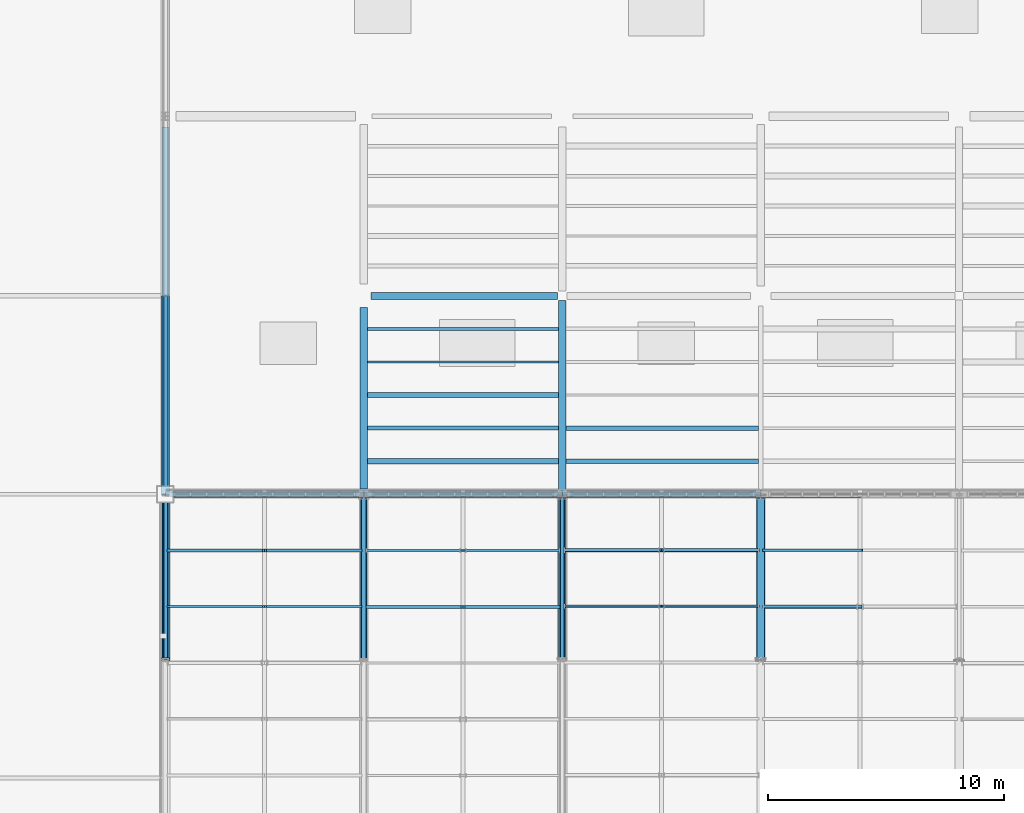
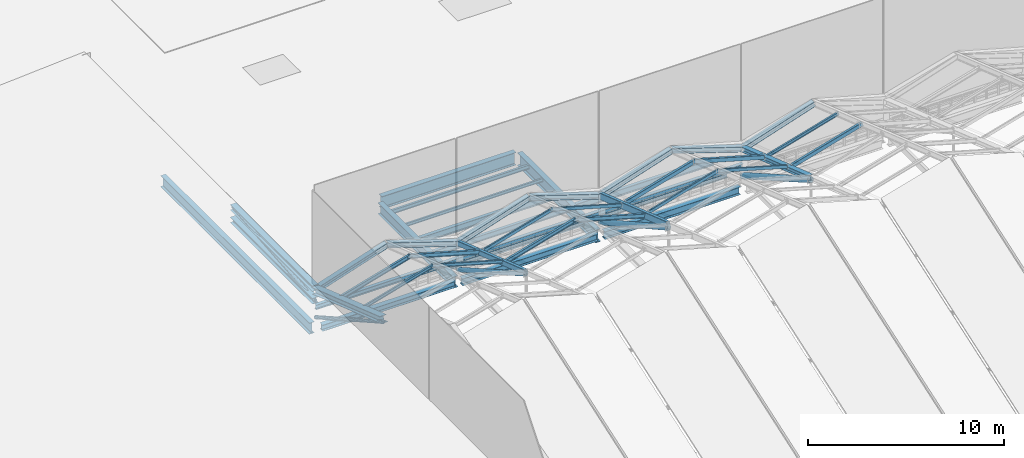
# One storey, part 20 of 77: 32 members, 17 beams.
"""IFC4 building model written with IfcOpenShell, lengths in metres."""

from ifc_helpers import new_model, si_unit, direction, frame, origin, origin_2d, place, context, subcontext, project, spatial, hollow_rectangle, hollow_circle, i_section, extrude, material, material_profile, profile_set, type_object, element, save


model = new_model("IFC4")

# Units and contexts
model_context = context("Model", 3, precision=1e-05, world=origin(), true_north=direction((0.0, 1.0)))
body_context = subcontext(model_context, "Body", "Model", "MODEL_VIEW")
ifc_project = project(units=[si_unit("LENGTHUNIT", "METRE"), si_unit("AREAUNIT", "SQUARE_METRE"), si_unit("VOLUMEUNIT", "CUBIC_METRE"), si_unit("PLANEANGLEUNIT", "RADIAN"), si_unit("MASSUNIT", "GRAM", prefix="KILO")], contexts=[model_context])

# Site, building, storey
site_placement = place(None, origin())
site = spatial("IfcSite", under=ifc_project, at=site_placement, CompositionType="ELEMENT")
building_placement = place(site_placement, origin())
building = spatial("IfcBuilding", under=site, at=building_placement, Name="Larkvane Passage Sports Hall", CompositionType="ELEMENT")
storey_placement = place(building_placement, frame((0.0, 0.0, 22.199951171875)))
storey = spatial("IfcBuildingStorey", under=building, at=storey_placement, Name="RF", CompositionType="ELEMENT", Elevation=22.199951171875)

# Beams
ifc_material_1 = material(Name="Steel S355JR", Category="steel")
ifc_material_profile_1 = material_profile(ifc_material_1, i_section(OverallWidth=0.199951171875, OverallDepth=0.2939453125, WebThickness=0.008056640625, FlangeThickness=0.011962890625, FilletRadius=0.012939453125, at=origin_2d()), Name="H-294x200x8x12")
ifc_profile_set_1 = profile_set([ifc_material_profile_1], Name="Steel S355JR")
beam_type_1 = type_object("IfcBeamType", Name="BM-STL-H294", PredefinedType="BEAM", material=ifc_profile_set_1)
beam_1_placement = place(storey_placement, frame((34.800048828125, 75.60009765625, 0.81298828125), z_axis=(1.0, 0.0, 0.0), x_axis=(0.0, 1.0, 0.0)))
element("IfcBeam", 1, at=beam_1_placement, inside=storey, type_object=beam_type_1, Name="Arena roof north clerestory lintel beam 1", PredefinedType="BEAM", context=body_context, shape_type="SweptSolid", body=[
    extrude(i_section(OverallWidth=0.199951171875, OverallDepth=0.2939453125, WebThickness=0.008056640625, FlangeThickness=0.011962890625, FilletRadius=0.012939453125, at=origin_2d()), origin(), (0.0, 0.0, 1.0), 8.39990234375),
])
beam_2_placement = place(storey_placement, frame((43.199951171875, 75.60009765625, 0.81298828125), z_axis=(1.0, 0.0, 0.0), x_axis=(0.0, 1.0, 0.0)))
element("IfcBeam", 2, at=beam_2_placement, inside=storey, type_object=beam_type_1, Name="Arena roof north clerestory lintel beam 2", PredefinedType="BEAM", context=body_context, shape_type="SweptSolid", body=[
    extrude(i_section(OverallWidth=0.199951171875, OverallDepth=0.2939453125, WebThickness=0.008056640625, FlangeThickness=0.011962890625, FilletRadius=0.012939453125, at=origin_2d()), origin(), (0.0, 0.0, 1.0), 8.400146484375),
])
beam_3_placement = place(storey_placement, frame((51.60009765625, 75.60009765625, 0.81298828125), z_axis=(1.0, 0.0, 0.0), x_axis=(0.0, 1.0, 0.0)))
element("IfcBeam", 3, at=beam_3_placement, inside=storey, type_object=beam_type_1, Name="Arena roof north clerestory lintel beam 3", PredefinedType="BEAM", context=body_context, shape_type="SweptSolid", body=[
    extrude(i_section(OverallWidth=0.199951171875, OverallDepth=0.2939453125, WebThickness=0.008056640625, FlangeThickness=0.011962890625, FilletRadius=0.012939453125, at=origin_2d()), origin(), (0.0, 0.0, 1.0), 8.39990234375),
])
ifc_material_profile_2 = material_profile(ifc_material_1, i_section(OverallWidth=0.300048828125, OverallDepth=0.389892578125, WebThickness=0.010009765625, FlangeThickness=0.01611328125, FilletRadius=0.01806640625, at=origin_2d()), Name="H-390x300x10x16")
ifc_profile_set_2 = profile_set([ifc_material_profile_2], Name="Steel S355JR")
beam_type_2 = type_object("IfcBeamType", Name="BM-STL-H390", PredefinedType="BEAM", material=ifc_profile_set_2)
beam_4_placement = place(storey_placement, frame((35.14990234375, 75.60009765625, -0.574951171875), z_axis=(1.0, 0.0, 0.0), x_axis=(0.0, 1.0, 0.0)))
element("IfcBeam", 4, at=beam_4_placement, inside=storey, type_object=beam_type_2, Name="Girder BM5-X-RF-J-1146", PredefinedType="BEAM", context=body_context, shape_type="SweptSolid", body=[
    extrude(i_section(OverallWidth=0.300048828125, OverallDepth=0.389892578125, WebThickness=0.010009765625, FlangeThickness=0.01611328125, FilletRadius=0.01806640625, at=origin_2d()), origin(), (0.0, 0.0, 1.0), 7.8466796875),
])
ifc_material_profile_3 = material_profile(ifc_material_1, i_section(OverallWidth=0.300048828125, OverallDepth=0.43994140625, WebThickness=0.010986328125, FlangeThickness=0.01806640625, FilletRadius=0.01806640625, at=origin_2d()), Name="H-440x300x11x18")
ifc_profile_set_3 = profile_set([ifc_material_profile_3], Name="Steel S355JR")
beam_type_3 = type_object("IfcBeamType", Name="BM-STL-H440", PredefinedType="BEAM", material=ifc_profile_set_3)
beam_5_placement = place(storey_placement, frame((43.403564453125, 75.60009765625, -0.599853515625), z_axis=(1.0, 0.0, 0.0), x_axis=(0.0, 1.0, 0.0)))
element("IfcBeam", 5, at=beam_5_placement, inside=storey, type_object=beam_type_3, Name="Girder BM5-X-RF-J-1147", PredefinedType="BEAM", context=body_context, shape_type="SweptSolid", body=[
    extrude(i_section(OverallWidth=0.300048828125, OverallDepth=0.43994140625, WebThickness=0.010986328125, FlangeThickness=0.01806640625, FilletRadius=0.01806640625, at=origin_2d()), origin(), (0.0, 0.0, 1.0), 7.993896484375),
])
ifc_material_profile_4 = material_profile(ifc_material_1, i_section(OverallWidth=0.300048828125, OverallDepth=0.488037109375, WebThickness=0.010986328125, FlangeThickness=0.01806640625, FilletRadius=0.02197265625, at=origin_2d()), Name="H-488x300x11x18")
ifc_profile_set_4 = profile_set([ifc_material_profile_4], Name="Steel S355JR")
beam_type_4 = type_object("IfcBeamType", Name="BM-STL-H488", PredefinedType="BEAM", material=ifc_profile_set_4)
beam_6_placement = place(storey_placement, frame((51.802490234375, 75.60009765625, -0.6240234375), z_axis=(1.0, 0.0, 0.0), x_axis=(0.0, 1.0, 0.0)))
element("IfcBeam", 6, at=beam_6_placement, inside=storey, type_object=beam_type_4, Name="Girder BM5-X-RF-J-1148", PredefinedType="BEAM", context=body_context, shape_type="SweptSolid", body=[
    extrude(i_section(OverallWidth=0.300048828125, OverallDepth=0.488037109375, WebThickness=0.010986328125, FlangeThickness=0.01806640625, FilletRadius=0.02197265625, at=origin_2d()), origin(), (0.0, 0.0, 1.0), 7.99755859375),
])
ifc_material_2 = material(Name="Steel S460N", Category="steel")
ifc_material_profile_5 = material_profile(ifc_material_2, i_section(OverallWidth=0.300048828125, OverallDepth=0.69189453125, WebThickness=0.012939453125, FlangeThickness=0.02001953125, FilletRadius=0.02197265625, at=origin_2d()), Name="H-692x300x13x20")
ifc_profile_set_5 = profile_set([ifc_material_profile_5], Name="Steel S460N")
beam_type_5 = type_object("IfcBeamType", Name="BM-STL-H692", PredefinedType="BEAM", material=ifc_profile_set_5)
beam_7_placement = place(storey_placement, frame((43.199951171875, 75.81396484375, -0.725830078125), z_axis=(0.0, 1.0, 0.0), x_axis=(-1.0, 0.0, 0.0)))
element("IfcBeam", 7, at=beam_7_placement, inside=storey, type_object=beam_type_5, Name="Girder BM5-Y-RF-7-1165", PredefinedType="BEAM", context=body_context, shape_type="SweptSolid", body=[
    extrude(i_section(OverallWidth=0.300048828125, OverallDepth=0.69189453125, WebThickness=0.012939453125, FlangeThickness=0.02001953125, FilletRadius=0.02197265625, at=origin_2d()), origin(), (0.0, 0.0, 1.0), 7.68603515625),
])
ifc_material_profile_6 = material_profile(ifc_material_2, i_section(OverallWidth=0.300048828125, OverallDepth=0.699951171875, WebThickness=0.012939453125, FlangeThickness=0.02392578125, FilletRadius=0.02197265625, at=origin_2d()), Name="H-700x300x13x24")
ifc_profile_set_6 = profile_set([ifc_material_profile_6], Name="Steel S460N")
beam_type_6 = type_object("IfcBeamType", Name="BM-STL-H700", PredefinedType="BEAM", material=ifc_profile_set_6)
beam_8_placement = place(storey_placement, frame((34.800048828125, 75.949951171875, -0.72998046875), z_axis=(0.0, 1.0, 0.0), x_axis=(-1.0, 0.0, 0.0)))
element("IfcBeam", 8, at=beam_8_placement, inside=storey, type_object=beam_type_6, Name="Girder BM5-Y-RF-6-1163", PredefinedType="BEAM", context=body_context, shape_type="SweptSolid", body=[
    extrude(i_section(OverallWidth=0.300048828125, OverallDepth=0.699951171875, WebThickness=0.012939453125, FlangeThickness=0.02392578125, FilletRadius=0.02197265625, at=origin_2d()), origin(), (0.0, 0.0, 1.0), 15.199951171875),
])
ifc_material_profile_7 = material_profile(ifc_material_2, i_section(OverallWidth=0.300048828125, OverallDepth=0.7919921875, WebThickness=0.013916015625, FlangeThickness=0.02197265625, FilletRadius=0.02197265625, at=origin_2d()), Name="H-792x300x14x22")
ifc_profile_set_7 = profile_set([ifc_material_profile_7], Name="Steel S460N")
beam_type_7 = type_object("IfcBeamType", Name="BM-STL-H792", PredefinedType="BEAM", material=ifc_profile_set_7)
beam_9_placement = place(storey_placement, frame((43.5, 84.0, -0.77587890625), z_axis=(1.0, 0.0, 0.0), x_axis=(0.0, 1.0, 0.0)))
element("IfcBeam", 9, at=beam_9_placement, inside=storey, type_object=beam_type_7, Name="Girder BM5-X-RF-K-1154", PredefinedType="BEAM", context=body_context, shape_type="SweptSolid", body=[
    extrude(i_section(OverallWidth=0.300048828125, OverallDepth=0.7919921875, WebThickness=0.013916015625, FlangeThickness=0.02197265625, FilletRadius=0.02197265625, at=origin_2d()), origin(), (0.0, 0.0, 1.0), 7.89990234375),
])
ifc_material_profile_8 = material_profile(ifc_material_2, i_section(OverallWidth=0.300048828125, OverallDepth=0.800048828125, WebThickness=0.013916015625, FlangeThickness=0.02587890625, FilletRadius=0.02197265625, at=origin_2d()), Name="H-800x300x14x26")
ifc_profile_set_8 = profile_set([ifc_material_profile_8], Name="Steel S460N")
beam_type_8 = type_object("IfcBeamType", Name="BM-STL-H800", PredefinedType="BEAM", material=ifc_profile_set_8)
beam_10_placement = place(storey_placement, frame((51.60009765625, 75.806884765625, -0.780029296875), z_axis=(0.0, 1.0, 0.0), x_axis=(-1.0, 0.0, 0.0)))
element("IfcBeam", 10, at=beam_10_placement, inside=storey, type_object=beam_type_8, Name="Girder BM5-Y-RF-8-1168", PredefinedType="BEAM", context=body_context, shape_type="SweptSolid", body=[
    extrude(i_section(OverallWidth=0.300048828125, OverallDepth=0.800048828125, WebThickness=0.013916015625, FlangeThickness=0.02587890625, FilletRadius=0.02197265625, at=origin_2d()), origin(), (0.0, 0.0, 1.0), 7.9931640625),
])
ifc_material_profile_9 = material_profile(ifc_material_1, i_section(OverallWidth=0.10009765625, OverallDepth=0.199951171875, WebThickness=0.005615234375, FlangeThickness=0.008056640625, FilletRadius=0.008056640625, at=origin_2d()), Name="H-200x100x5.5x8")
ifc_profile_set_9 = profile_set([ifc_material_profile_9], Name="Steel S355JR")
beam_type_9 = type_object("IfcBeamType", Name="JST-STL-H200", PredefinedType="JOIST", material=ifc_profile_set_9)
beam_11_placement = place(storey_placement, frame((43.35009765625, 81.199951171875, -0.47998046875), z_axis=(1.0, 0.0, 0.0), x_axis=(0.0, 1.0, 0.0)))
element("IfcBeam", 11, at=beam_11_placement, inside=storey, type_object=beam_type_9, Name="Composite joist RF 7/J-4", PredefinedType="JOIST", context=body_context, shape_type="SweptSolid", body=[
    extrude(i_section(OverallWidth=0.10009765625, OverallDepth=0.199951171875, WebThickness=0.005615234375, FlangeThickness=0.008056640625, FilletRadius=0.008056640625, at=origin_2d()), origin(), (0.0, 0.0, 1.0), 8.099853515625),
])
ifc_material_profile_10 = material_profile(ifc_material_1, i_section(OverallWidth=0.125, OverallDepth=0.25, WebThickness=0.006103515625, FlangeThickness=0.009033203125, FilletRadius=0.008056640625, at=origin_2d()), Name="H-250x125x6x9")
ifc_profile_set_10 = profile_set([ifc_material_profile_10], Name="Steel S355JR")
beam_type_10 = type_object("IfcBeamType", Name="JST-STL-H250", PredefinedType="JOIST", material=ifc_profile_set_10)
beam_12_placement = place(storey_placement, frame((43.35009765625, 82.60009765625, -0.5048828125), z_axis=(1.0, 0.0, 0.0), x_axis=(0.0, 1.0, 0.0)))
element("IfcBeam", 12, at=beam_12_placement, inside=storey, type_object=beam_type_10, Name="Composite joist RF 7/J-5", PredefinedType="JOIST", context=body_context, shape_type="SweptSolid", body=[
    extrude(i_section(OverallWidth=0.125, OverallDepth=0.25, WebThickness=0.006103515625, FlangeThickness=0.009033203125, FilletRadius=0.008056640625, at=origin_2d()), origin(), (0.0, 0.0, 1.0), 8.099853515625),
])
ifc_material_profile_11 = material_profile(ifc_material_1, i_section(OverallWidth=0.25, OverallDepth=0.340087890625, WebThickness=0.009033203125, FlangeThickness=0.013916015625, FilletRadius=0.012939453125, at=origin_2d()), Name="H-340x250x9x14")
ifc_profile_set_11 = profile_set([ifc_material_profile_11], Name="Steel S355JR")
beam_type_11 = type_object("IfcBeamType", Name="JST-STL-H340", PredefinedType="JOIST", material=ifc_profile_set_11)
beam_13_placement = place(storey_placement, frame((43.35009765625, 77.0, -0.550048828125), z_axis=(1.0, 0.0, 0.0), x_axis=(0.0, 1.0, 0.0)))
element("IfcBeam", 13, at=beam_13_placement, inside=storey, type_object=beam_type_11, Name="Composite joist RF 7/J-1", PredefinedType="JOIST", context=body_context, shape_type="SweptSolid", body=[
    extrude(i_section(OverallWidth=0.25, OverallDepth=0.340087890625, WebThickness=0.009033203125, FlangeThickness=0.013916015625, FilletRadius=0.012939453125, at=origin_2d()), origin(), (0.0, 0.0, 1.0), 8.099853515625),
])
ifc_material_profile_12 = material_profile(ifc_material_1, i_section(OverallWidth=0.175048828125, OverallDepth=0.35009765625, WebThickness=0.007080078125, FlangeThickness=0.010986328125, FilletRadius=0.012939453125, at=origin_2d()), Name="H-350x175x7x11")
ifc_profile_set_12 = profile_set([ifc_material_profile_12], Name="Steel S355JR")
beam_type_12 = type_object("IfcBeamType", Name="JST-STL-H350", PredefinedType="JOIST", material=ifc_profile_set_12)
beam_14_placement = place(storey_placement, frame((43.35009765625, 78.39990234375, -0.554931640625), z_axis=(1.0, 0.0, 0.0), x_axis=(0.0, 1.0, 0.0)))
element("IfcBeam", 14, at=beam_14_placement, inside=storey, type_object=beam_type_12, Name="Composite joist RF 7/J-2", PredefinedType="JOIST", context=body_context, shape_type="SweptSolid", body=[
    extrude(i_section(OverallWidth=0.175048828125, OverallDepth=0.35009765625, WebThickness=0.007080078125, FlangeThickness=0.010986328125, FilletRadius=0.012939453125, at=origin_2d()), origin(), (0.0, 0.0, 1.0), 8.099853515625),
])
beam_15_placement = place(storey_placement, frame((51.75, 77.0, -0.554931640625), z_axis=(1.0, 0.0, 0.0), x_axis=(0.0, 1.0, 0.0)))
element("IfcBeam", 15, at=beam_15_placement, inside=storey, type_object=beam_type_12, Name="Composite joist RF 8/J-1", PredefinedType="JOIST", context=body_context, shape_type="SweptSolid", body=[
    extrude(i_section(OverallWidth=0.175048828125, OverallDepth=0.35009765625, WebThickness=0.007080078125, FlangeThickness=0.010986328125, FilletRadius=0.012939453125, at=origin_2d()), origin(), (0.0, 0.0, 1.0), 8.14990234375),
])
ifc_material_profile_13 = material_profile(ifc_material_1, i_section(OverallWidth=0.199951171875, OverallDepth=0.39990234375, WebThickness=0.008056640625, FlangeThickness=0.012939453125, FilletRadius=0.012939453125, at=origin_2d()), Name="H-400x200x8x13")
ifc_profile_set_13 = profile_set([ifc_material_profile_13], Name="Steel S355JR")
beam_type_13 = type_object("IfcBeamType", Name="JST-STL-H400", PredefinedType="JOIST", material=ifc_profile_set_13)
beam_16_placement = place(storey_placement, frame((43.35009765625, 79.800048828125, -0.579833984375), z_axis=(1.0, 0.0, 0.0), x_axis=(0.0, 1.0, 0.0)))
element("IfcBeam", 16, at=beam_16_placement, inside=storey, type_object=beam_type_13, Name="Composite joist RF 7/J-3", PredefinedType="JOIST", context=body_context, shape_type="SweptSolid", body=[
    extrude(i_section(OverallWidth=0.199951171875, OverallDepth=0.39990234375, WebThickness=0.008056640625, FlangeThickness=0.012939453125, FilletRadius=0.012939453125, at=origin_2d()), origin(), (0.0, 0.0, 1.0), 8.099853515625),
])
beam_17_placement = place(storey_placement, frame((51.75, 78.39990234375, -0.579833984375), z_axis=(1.0, 0.0, 0.0), x_axis=(0.0, 1.0, 0.0)))
element("IfcBeam", 17, at=beam_17_placement, inside=storey, type_object=beam_type_13, Name="Composite joist RF 8/J-2", PredefinedType="JOIST", context=body_context, shape_type="SweptSolid", body=[
    extrude(i_section(OverallWidth=0.199951171875, OverallDepth=0.39990234375, WebThickness=0.008056640625, FlangeThickness=0.012939453125, FilletRadius=0.012939453125, at=origin_2d()), origin(), (0.0, 0.0, 1.0), 8.14990234375),
])

# Members
ifc_material_profile_14 = material_profile(ifc_material_1, hollow_circle(Radius=0.108154296875, WallThickness=0.00830078125, at=origin_2d()), Name="CHS-216.3x8.2")
ifc_profile_set_14 = profile_set([ifc_material_profile_14], Name="Steel S355JR")
member_type_1 = type_object("IfcMemberType", Name="MBR-BR-CHS216", PredefinedType="BRACE", material=ifc_profile_set_14)
member_1_placement = place(storey_placement, frame((34.800048828125, 68.64990234375, 4.090087890625), z_axis=(0.0, 0.870559396632, -0.492063346467), x_axis=(-1.0, 0.0, 0.0)))
element("IfcMember", 18, at=member_1_placement, inside=storey, type_object=member_type_1, Name="Arena roof truss 1 web brace 6", PredefinedType="BRACE", context=body_context, shape_type="SweptSolid", body=[
    extrude(hollow_circle(Radius=0.108154296875, WallThickness=0.00830078125, at=origin_2d()), origin(), (0.0, 0.0, 1.0), 7.926025390625),
])
member_2_placement = place(storey_placement, frame((34.800048828125, 75.60009765625, 1.199951171875), z_axis=(0.0, 0.995716037976, 0.092463894127), x_axis=(-1.0, 0.0, 0.0)))
element("IfcMember", 19, at=member_2_placement, inside=storey, type_object=member_type_1, Name="Northwest roof ridge truss web 1", PredefinedType="BRACE", context=body_context, shape_type="SweptSolid", body=[
    extrude(hollow_circle(Radius=0.108154296875, WallThickness=0.00830078125, at=origin_2d()), origin(), (0.0, 0.0, 1.0), 8.43603515625),
])
ifc_material_profile_15 = material_profile(ifc_material_1, hollow_circle(Radius=0.1337890625, WallThickness=0.00927734375, at=origin_2d()), Name="CHS-267.4x9.3")
ifc_profile_set_15 = profile_set([ifc_material_profile_15], Name="Steel S355JR")
member_type_2 = type_object("IfcMemberType", Name="MBR-BR-CHS267", PredefinedType="BRACE", material=ifc_profile_set_15)
member_3_placement = place(storey_placement, frame((43.199951171875, 68.64990234375, 4.14013671875), z_axis=(0.0, 0.869212373282, -0.494438924574), x_axis=(-1.0, 0.0, 0.0)))
element("IfcMember", 20, at=member_3_placement, inside=storey, type_object=member_type_2, Name="Arena roof truss 2 web brace 6", PredefinedType="BRACE", context=body_context, shape_type="SweptSolid", body=[
    extrude(hollow_circle(Radius=0.1337890625, WallThickness=0.00927734375, at=origin_2d()), origin(), (0.0, 0.0, 1.0), 7.9384765625),
])
ifc_material_profile_16 = material_profile(ifc_material_2, hollow_circle(Radius=0.1591796875, WallThickness=0.01025390625, at=origin_2d()), Name="CHS-318.5x10.3")
ifc_profile_set_16 = profile_set([ifc_material_profile_16], Name="Steel S460N")
member_type_3 = type_object("IfcMemberType", Name="MBR-BR-CHS318", PredefinedType="BRACE", material=ifc_profile_set_16)
member_4_placement = place(storey_placement, frame((51.60009765625, 68.64990234375, 4.090087890625), z_axis=(0.0, 0.873259464761, -0.48725548453), x_axis=(-1.0, 0.0, 0.0)))
element("IfcMember", 21, at=member_4_placement, inside=storey, type_object=member_type_3, Name="Arena roof truss 3 web brace 6", PredefinedType="BRACE", context=body_context, shape_type="SweptSolid", body=[
    extrude(hollow_circle(Radius=0.1591796875, WallThickness=0.01025390625, at=origin_2d()), origin(), (0.0, 0.0, 1.0), 7.901611328125),
])
ifc_material_profile_17 = material_profile(ifc_material_2, hollow_circle(Radius=0.177734375, WallThickness=0.0126953125, at=origin_2d()), Name="CHS-355.6x12.7")
ifc_profile_set_17 = profile_set([ifc_material_profile_17], Name="Steel S460N")
member_type_4 = type_object("IfcMemberType", Name="MBR-BR-CHS355", PredefinedType="BRACE", material=ifc_profile_set_17)
member_5_placement = place(storey_placement, frame((60.0, 68.64990234375, 4.14013671875), z_axis=(0.0, 0.867849830094, -0.49682660195), x_axis=(-1.0, 0.0, 0.0)))
element("IfcMember", 22, at=member_5_placement, inside=storey, type_object=member_type_4, Name="Arena roof truss 4 web brace 6", PredefinedType="BRACE", context=body_context, shape_type="SweptSolid", body=[
    extrude(hollow_circle(Radius=0.177734375, WallThickness=0.0126953125, at=origin_2d()), origin(), (0.0, 0.0, 1.0), 7.950927734375),
])
ifc_material_profile_18 = material_profile(ifc_material_2, i_section(OverallWidth=0.300048828125, OverallDepth=0.300048828125, WebThickness=0.010009765625, FlangeThickness=0.014892578125, FilletRadius=0.012939453125, at=origin_2d()), Name="H-300x300x10x15")
ifc_profile_set_18 = profile_set([ifc_material_profile_18], Name="Steel S460N")
member_type_5 = type_object("IfcMemberType", Name="MBR-CH-H300", PredefinedType="CHORD", material=ifc_profile_set_18)
member_6_placement = place(storey_placement, frame((60.0, 68.60009765625, 4.280029296875), z_axis=(0.0, 0.945949994576, -0.324312515579), x_axis=(-1.0, 0.0, 0.0)))
element("IfcMember", 23, at=member_6_placement, inside=storey, type_object=member_type_5, Name="Arena roof truss 4 top chord 6", PredefinedType="CHORD", context=body_context, shape_type="SweptSolid", body=[
    extrude(i_section(OverallWidth=0.300048828125, OverallDepth=0.300048828125, WebThickness=0.010009765625, FlangeThickness=0.014892578125, FilletRadius=0.012939453125, at=origin_2d()), origin(), (0.0, 0.0, 1.0), 7.39990234375),
])
for number, where, z_axis, x_axis, name in (
    (24, (34.800048828125, 75.60009765625, 1.880126953125), (0.950708236726, 0.0, 0.310086840451), (0.0, 1.0, 0.0), "Arena roof fold tie 1-NEAVE-W"),
    (25, (39.0, 75.60009765625, 3.25), (0.950708236726, 0.0, -0.310086840451), (0.0, 1.0, 0.0), "Arena roof fold tie 1-NEAVE-E"),
    (26, (43.199951171875, 75.60009765625, 1.880126953125), (0.950708236726, 0.0, 0.310086840451), (0.0, 1.0, 0.0), "Arena roof fold tie 2-NEAVE-W"),
):
    element("IfcMember", number, at=place(storey_placement, frame(where, z_axis=z_axis, x_axis=x_axis)), inside=storey, type_object=member_type_5, Name=name, PredefinedType="CHORD", context=body_context, shape_type="SweptSolid", body=[
        extrude(i_section(OverallWidth=0.300048828125, OverallDepth=0.300048828125, WebThickness=0.010009765625, FlangeThickness=0.014892578125, FilletRadius=0.012939453125, at=origin_2d()), origin(), (0.0, 0.0, 1.0), 4.417724609375),
    ])
member_7_placement = place(storey_placement, frame((47.39990234375, 75.60009765625, 3.25), z_axis=(0.950713550163, 0.0, -0.310070549289), x_axis=(0.0, 1.0, 0.0)))
element("IfcMember", 27, at=member_7_placement, inside=storey, type_object=member_type_5, Name="Arena roof fold tie 2-NEAVE-E", PredefinedType="CHORD", context=body_context, shape_type="SweptSolid", body=[
    extrude(i_section(OverallWidth=0.300048828125, OverallDepth=0.300048828125, WebThickness=0.010009765625, FlangeThickness=0.014892578125, FilletRadius=0.012939453125, at=origin_2d()), origin(), (0.0, 0.0, 1.0), 4.41796875),
])
for number, where, z_axis, x_axis, name in (
    (28, (51.60009765625, 75.60009765625, 1.880126953125), (0.950708236726, 0.0, 0.310086840451), (0.0, 1.0, 0.0), "Arena roof fold tie 3-NEAVE-W"),
    (29, (55.800048828125, 75.60009765625, 3.25), (0.950708236726, 0.0, -0.310086840451), (0.0, 1.0, 0.0), "Arena roof fold tie 3-NEAVE-E"),
    (30, (60.0, 75.60009765625, 1.880126953125), (0.950708236726, 0.0, 0.310086840451), (0.0, 1.0, 0.0), "Arena roof fold tie 4-NEAVE-W"),
):
    element("IfcMember", number, at=place(storey_placement, frame(where, z_axis=z_axis, x_axis=x_axis)), inside=storey, type_object=member_type_5, Name=name, PredefinedType="CHORD", context=body_context, shape_type="SweptSolid", body=[
        extrude(i_section(OverallWidth=0.300048828125, OverallDepth=0.300048828125, WebThickness=0.010009765625, FlangeThickness=0.014892578125, FilletRadius=0.012939453125, at=origin_2d()), origin(), (0.0, 0.0, 1.0), 4.417724609375),
    ])
ifc_material_profile_19 = material_profile(ifc_material_2, i_section(OverallWidth=0.35009765625, OverallDepth=0.35009765625, WebThickness=0.011962890625, FlangeThickness=0.01904296875, FilletRadius=0.012939453125, at=origin_2d()), Name="H-350x350x12x19")
ifc_profile_set_19 = profile_set([ifc_material_profile_19], Name="Steel S460N")
member_type_6 = type_object("IfcMemberType", Name="MBR-CH-H350", PredefinedType="CHORD", material=ifc_profile_set_19)
for number, where, z_axis, x_axis, name in (
    (31, (34.800048828125, 75.60009765625, 1.199951171875), (0.0, 1.0, 0.0), (-1.0, 0.0, 0.0), "Northwest roof ridge truss bottom chord 1"),
    (32, (34.800048828125, 75.60009765625, 1.97998046875), (0.0, 1.0, 0.0), (-1.0, 0.0, 0.0), "Northwest roof ridge truss top chord 1"),
):
    element("IfcMember", number, at=place(storey_placement, frame(where, z_axis=z_axis, x_axis=x_axis)), inside=storey, type_object=member_type_6, Name=name, PredefinedType="CHORD", context=body_context, shape_type="SweptSolid", body=[
        extrude(i_section(OverallWidth=0.35009765625, OverallDepth=0.35009765625, WebThickness=0.011962890625, FlangeThickness=0.01904296875, FilletRadius=0.012939453125, at=origin_2d()), origin(), (0.0, 0.0, 1.0), 8.39990234375),
    ])
ifc_material_profile_20 = material_profile(ifc_material_2, i_section(OverallWidth=0.39990234375, OverallDepth=0.39990234375, WebThickness=0.012939453125, FlangeThickness=0.02099609375, FilletRadius=0.02197265625, at=origin_2d()), Name="H-400x400x13x21")
ifc_profile_set_20 = profile_set([ifc_material_profile_20], Name="Steel S460N")
member_type_7 = type_object("IfcMemberType", Name="MBR-CH-H400", PredefinedType="CHORD", material=ifc_profile_set_20)
member_8_placement = place(storey_placement, frame((34.800048828125, 68.60009765625, 4.280029296875), z_axis=(0.0, 0.945949994576, -0.324312515579), x_axis=(-1.0, 0.0, 0.0)))
element("IfcMember", 33, at=member_8_placement, inside=storey, type_object=member_type_7, Name="Arena roof truss 1 top chord 6", PredefinedType="CHORD", context=body_context, shape_type="SweptSolid", body=[
    extrude(i_section(OverallWidth=0.39990234375, OverallDepth=0.39990234375, WebThickness=0.012939453125, FlangeThickness=0.02099609375, FilletRadius=0.02197265625, at=origin_2d()), origin(), (0.0, 0.0, 1.0), 7.39990234375),
])
ifc_material_profile_21 = material_profile(ifc_material_2, hollow_rectangle(XDim=0.199951171875, YDim=0.300048828125, WallThickness=0.011962890625, InnerFilletRadius=0.011962890625, OuterFilletRadius=0.02392578125, at=origin_2d()), Name="RHS-300x200x12")
ifc_profile_set_21 = profile_set([ifc_material_profile_21], Name="Steel S460N")
member_type_8 = type_object("IfcMemberType", Name="MBR-CH-RHS300", PredefinedType="CHORD", material=ifc_profile_set_21)
member_9_placement = place(storey_placement, frame((43.199951171875, 68.60009765625, 4.280029296875), z_axis=(0.0, 0.945949994576, -0.324312515579), x_axis=(-1.0, 0.0, 0.0)))
element("IfcMember", 34, at=member_9_placement, inside=storey, type_object=member_type_8, Name="Arena roof truss 2 top chord 6", PredefinedType="CHORD", context=body_context, shape_type="SweptSolid", body=[
    extrude(hollow_rectangle(XDim=0.199951171875, YDim=0.300048828125, WallThickness=0.011962890625, InnerFilletRadius=0.011962890625, OuterFilletRadius=0.02392578125, at=origin_2d()), origin(), (0.0, 0.0, 1.0), 7.39990234375),
])
ifc_material_profile_22 = material_profile(ifc_material_2, hollow_rectangle(XDim=0.199951171875, YDim=0.39990234375, WallThickness=0.013916015625, InnerFilletRadius=0.013916015625, OuterFilletRadius=0.028076171875, at=origin_2d()), Name="RHS-400x200x14")
ifc_profile_set_22 = profile_set([ifc_material_profile_22], Name="Steel S460N")
member_type_9 = type_object("IfcMemberType", Name="MBR-CH-RHS400", PredefinedType="CHORD", material=ifc_profile_set_22)
member_10_placement = place(storey_placement, frame((51.60009765625, 68.60009765625, 4.280029296875), z_axis=(0.0, 0.945949994576, -0.324312515579), x_axis=(-1.0, 0.0, 0.0)))
element("IfcMember", 35, at=member_10_placement, inside=storey, type_object=member_type_9, Name="Arena roof truss 3 top chord 6", PredefinedType="CHORD", context=body_context, shape_type="SweptSolid", body=[
    extrude(hollow_rectangle(XDim=0.199951171875, YDim=0.39990234375, WallThickness=0.013916015625, InnerFilletRadius=0.013916015625, OuterFilletRadius=0.028076171875, at=origin_2d()), origin(), (0.0, 0.0, 1.0), 7.39990234375),
])
ifc_material_profile_23 = material_profile(ifc_material_1, i_section(OverallWidth=0.10009765625, OverallDepth=0.199951171875, WebThickness=0.005615234375, FlangeThickness=0.008056640625, FilletRadius=0.008056640625, at=origin_2d()), Name="H-200x100x5.5x8")
ifc_profile_set_23 = profile_set([ifc_material_profile_23], Name="Steel S355JR")
member_type_10 = type_object("IfcMemberType", Name="MBR-PR-H200", PredefinedType="PURLIN", material=ifc_profile_set_23)
for number, where, z_axis, x_axis, name in (
    (36, (34.90576171875, 70.853271484375, 3.6142578125), (0.96152605678, 0.0, 0.274713745804), (0.0, 1.0, 0.0), "Folded roof purlin FRP-B1-NW-4"),
    (37, (38.894287109375, 70.853271484375, 4.814208984375), (0.96152605678, 0.0, -0.274713745804), (0.0, 1.0, 0.0), "Folded roof purlin FRP-B1-NE-4"),
):
    element("IfcMember", number, at=place(storey_placement, frame(where, z_axis=z_axis, x_axis=x_axis)), inside=storey, type_object=member_type_10, Name=name, PredefinedType="PURLIN", context=body_context, shape_type="SweptSolid", body=[
        extrude(i_section(OverallWidth=0.10009765625, OverallDepth=0.199951171875, WebThickness=0.005615234375, FlangeThickness=0.008056640625, FilletRadius=0.008056640625, at=origin_2d()), origin(), (0.0, 0.0, 1.0), 4.367919921875),
    ])
member_11_placement = place(storey_placement, frame((60.105712890625, 73.233154296875, 2.798095703125), z_axis=(0.961511291812, 0.0, 0.274765419436), x_axis=(0.0, 1.0, 0.0)))
element("IfcMember", 38, at=member_11_placement, inside=storey, type_object=member_type_10, Name="Folded roof purlin FRP-B4-NW-5", PredefinedType="PURLIN", context=body_context, shape_type="SweptSolid", body=[
    extrude(i_section(OverallWidth=0.10009765625, OverallDepth=0.199951171875, WebThickness=0.005615234375, FlangeThickness=0.008056640625, FilletRadius=0.008056640625, at=origin_2d()), origin(), (0.0, 0.0, 1.0), 4.3681640625),
])
ifc_material_profile_24 = material_profile(ifc_material_1, i_section(OverallWidth=0.125, OverallDepth=0.25, WebThickness=0.006103515625, FlangeThickness=0.009033203125, FilletRadius=0.008056640625, at=origin_2d()), Name="H-250x125x6x9")
ifc_profile_set_24 = profile_set([ifc_material_profile_24], Name="Steel S355JR")
member_type_11 = type_object("IfcMemberType", Name="MBR-PR-H250", PredefinedType="PURLIN", material=ifc_profile_set_24)
for number, where, z_axis, x_axis, name in (
    (39, (34.912109375, 73.225341796875, 2.775390625), (0.961530274547, 0.0, 0.27469898276), (0.0, 1.0, 0.0), "Folded roof purlin FRP-B1-NW-5"),
    (40, (38.8876953125, 73.225341796875, 3.975341796875), (0.961530274547, 0.0, -0.27469898276), (0.0, 1.0, 0.0), "Folded roof purlin FRP-B1-NE-5"),
    (41, (43.322509765625, 70.832763671875, 3.554931640625), (0.961530274547, 0.0, 0.27469898276), (0.0, 1.0, 0.0), "Folded roof purlin FRP-B2-NW-4"),
):
    element("IfcMember", number, at=place(storey_placement, frame(where, z_axis=z_axis, x_axis=x_axis)), inside=storey, type_object=member_type_11, Name=name, PredefinedType="PURLIN", context=body_context, shape_type="SweptSolid", body=[
        extrude(i_section(OverallWidth=0.125, OverallDepth=0.25, WebThickness=0.006103515625, FlangeThickness=0.009033203125, FilletRadius=0.008056640625, at=origin_2d()), origin(), (0.0, 0.0, 1.0), 4.3681640625),
    ])
member_12_placement = place(storey_placement, frame((47.27734375, 70.832763671875, 4.7548828125), z_axis=(0.96152605678, 0.0, -0.274713745804), x_axis=(0.0, 1.0, 0.0)))
element("IfcMember", 42, at=member_12_placement, inside=storey, type_object=member_type_11, Name="Folded roof purlin FRP-B2-NE-4", PredefinedType="PURLIN", context=body_context, shape_type="SweptSolid", body=[
    extrude(i_section(OverallWidth=0.125, OverallDepth=0.25, WebThickness=0.006103515625, FlangeThickness=0.009033203125, FilletRadius=0.008056640625, at=origin_2d()), origin(), (0.0, 0.0, 1.0), 4.367919921875),
])
ifc_material_profile_25 = material_profile(ifc_material_1, hollow_rectangle(XDim=0.10009765625, YDim=0.199951171875, WallThickness=0.008056640625, InnerFilletRadius=0.008056640625, OuterFilletRadius=0.01611328125, at=origin_2d()), Name="RHS-200x100x8")
ifc_profile_set_25 = profile_set([ifc_material_profile_25], Name="Steel S355JR")
member_type_12 = type_object("IfcMemberType", Name="MBR-PR-RHS200", PredefinedType="PURLIN", material=ifc_profile_set_25)
for number, where, z_axis, x_axis, name in (
    (43, (43.316162109375, 73.220703125, 2.76171875), (0.96152605678, 0.0, 0.274713745804), (0.0, 1.0, 0.0), "Folded roof purlin FRP-B2-NW-5"),
    (44, (47.283935546875, 73.220703125, 3.961669921875), (0.96152605678, 0.0, -0.274713745804), (0.0, 1.0, 0.0), "Folded roof purlin FRP-B2-NE-5"),
):
    element("IfcMember", number, at=place(storey_placement, frame(where, z_axis=z_axis, x_axis=x_axis)), inside=storey, type_object=member_type_12, Name=name, PredefinedType="PURLIN", context=body_context, shape_type="SweptSolid", body=[
        extrude(hollow_rectangle(XDim=0.10009765625, YDim=0.199951171875, WallThickness=0.008056640625, InnerFilletRadius=0.008056640625, OuterFilletRadius=0.01611328125, at=origin_2d()), origin(), (0.0, 0.0, 1.0), 4.367919921875),
    ])
for number, where, z_axis, x_axis, name in (
    (45, (51.6953125, 70.86572265625, 3.650634765625), (0.961511291812, 0.0, 0.274765419436), (0.0, 1.0, 0.0), "Folded roof purlin FRP-B3-NW-4"),
    (46, (55.704833984375, 70.86572265625, 4.850830078125), (0.961511291812, 0.0, -0.274765419436), (0.0, 1.0, 0.0), "Folded roof purlin FRP-B3-NE-4"),
):
    element("IfcMember", number, at=place(storey_placement, frame(where, z_axis=z_axis, x_axis=x_axis)), inside=storey, type_object=member_type_12, Name=name, PredefinedType="PURLIN", context=body_context, shape_type="SweptSolid", body=[
        extrude(hollow_rectangle(XDim=0.10009765625, YDim=0.199951171875, WallThickness=0.008056640625, InnerFilletRadius=0.008056640625, OuterFilletRadius=0.01611328125, at=origin_2d()), origin(), (0.0, 0.0, 1.0), 4.3681640625),
    ])
ifc_material_profile_26 = material_profile(ifc_material_1, hollow_rectangle(XDim=0.14990234375, YDim=0.25, WallThickness=0.009033203125, InnerFilletRadius=0.009033203125, OuterFilletRadius=0.01806640625, at=origin_2d()), Name="RHS-250x150x9")
ifc_profile_set_26 = profile_set([ifc_material_profile_26], Name="Steel S355JR")
member_type_13 = type_object("IfcMemberType", Name="MBR-PR-RHS250", PredefinedType="PURLIN", material=ifc_profile_set_26)
member_13_placement = place(storey_placement, frame((51.70166015625, 73.23779296875, 2.81201171875), z_axis=(0.961530274547, 0.0, 0.27469898276), x_axis=(0.0, 1.0, 0.0)))
element("IfcMember", 47, at=member_13_placement, inside=storey, type_object=member_type_13, Name="Folded roof purlin FRP-B3-NW-5", PredefinedType="PURLIN", context=body_context, shape_type="SweptSolid", body=[
    extrude(hollow_rectangle(XDim=0.14990234375, YDim=0.25, WallThickness=0.009033203125, InnerFilletRadius=0.009033203125, OuterFilletRadius=0.01806640625, at=origin_2d()), origin(), (0.0, 0.0, 1.0), 4.3681640625),
])
for number, where, z_axis, x_axis, name in (
    (48, (55.6982421875, 73.23779296875, 4.011962890625), (0.96152605678, 0.0, -0.274713745804), (0.0, 1.0, 0.0), "Folded roof purlin FRP-B3-NE-5"),
    (49, (60.1123046875, 70.845458984375, 3.59130859375), (0.96152605678, 0.0, 0.274713745804), (0.0, 1.0, 0.0), "Folded roof purlin FRP-B4-NW-4"),
):
    element("IfcMember", number, at=place(storey_placement, frame(where, z_axis=z_axis, x_axis=x_axis)), inside=storey, type_object=member_type_13, Name=name, PredefinedType="PURLIN", context=body_context, shape_type="SweptSolid", body=[
        extrude(hollow_rectangle(XDim=0.14990234375, YDim=0.25, WallThickness=0.009033203125, InnerFilletRadius=0.009033203125, OuterFilletRadius=0.01806640625, at=origin_2d()), origin(), (0.0, 0.0, 1.0), 4.367919921875),
    ])

save(model, "model.ifc")
